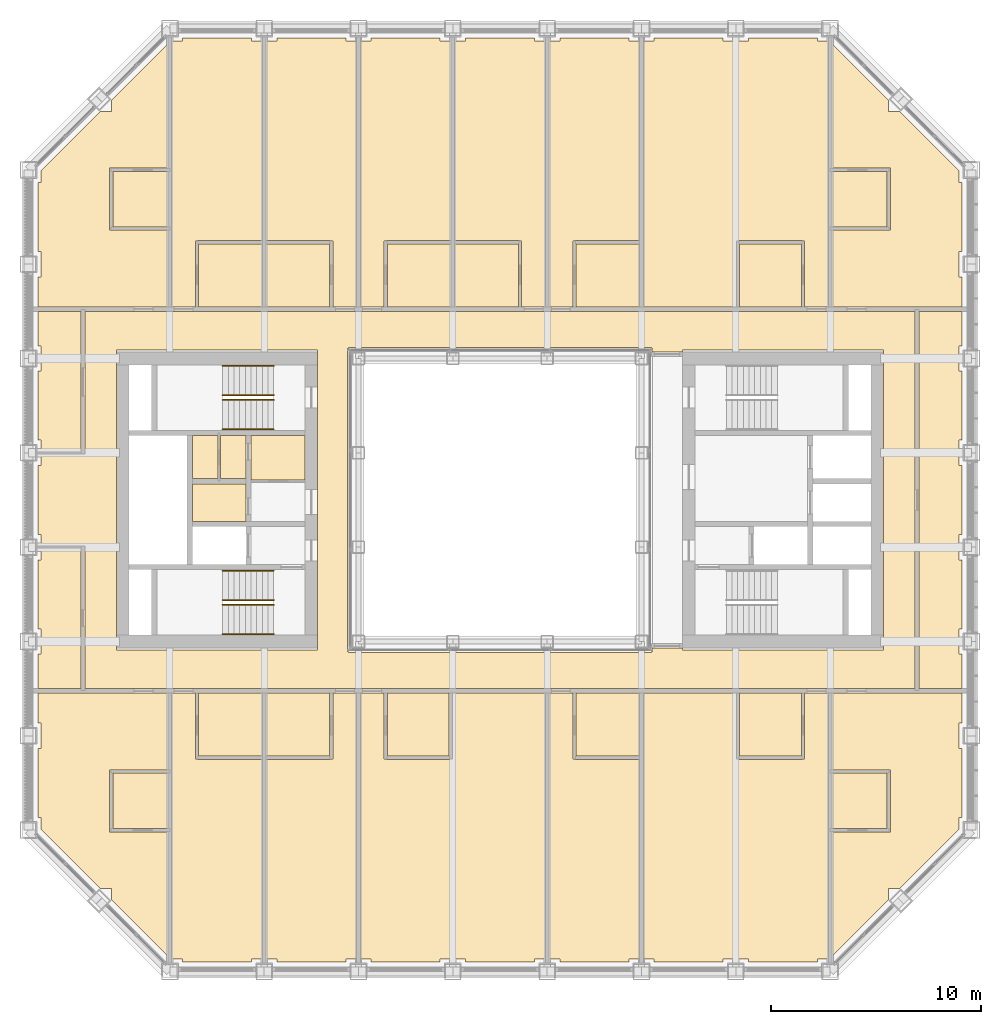
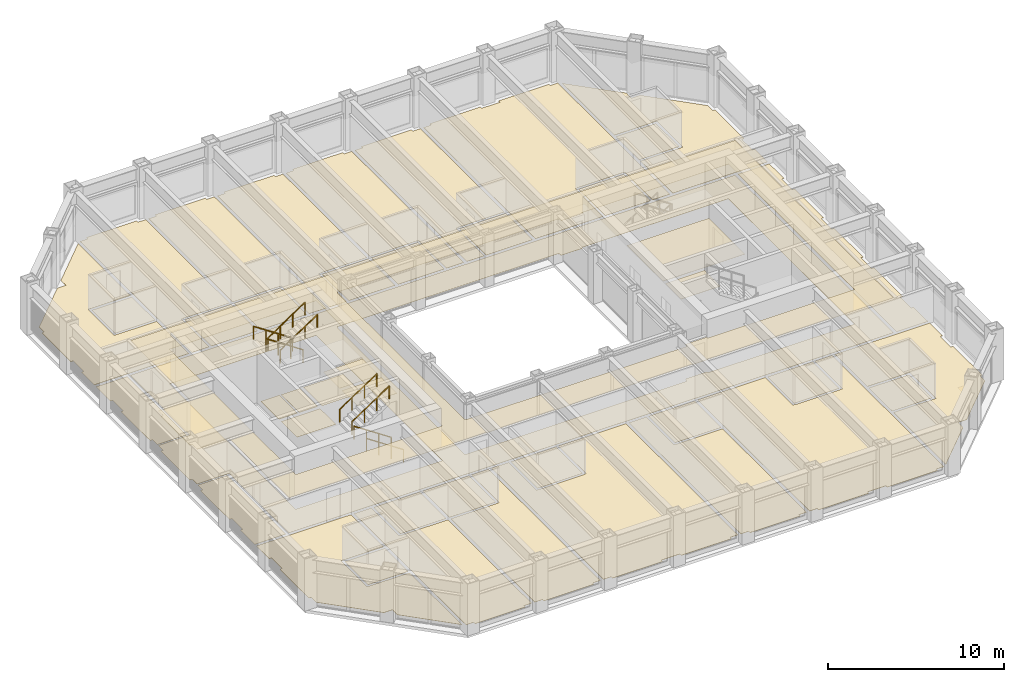
# One storey, part 15 of 17: 8 railings, 5 coverings.
"""IFC4 building model written with IfcOpenShell, lengths in metres."""

from ifc_helpers import new_model, si_unit, direction, frame, origin, origin_2d, place, context, subcontext, project, spatial, line, indexed_curve, circle, outline, extrude, material, layer, layer_set, type_object, element, save


model = new_model("IFC4")

# Units and contexts
model_context = context("Model", 3, precision=1e-05, world=origin(), true_north=direction((0.0, 1.0)))
body_context = subcontext(model_context, "Body", "Model", "MODEL_VIEW")
ifc_project = project(units=[si_unit("LENGTHUNIT", "METRE"), si_unit("AREAUNIT", "SQUARE_METRE"), si_unit("VOLUMEUNIT", "CUBIC_METRE"), si_unit("PLANEANGLEUNIT", "RADIAN"), si_unit("MASSUNIT", "GRAM", prefix="KILO")], contexts=[model_context])

# Site, building, storey
site_placement = place(None, origin())
site = spatial("IfcSite", under=ifc_project, at=site_placement, CompositionType="ELEMENT")
building_placement = place(site_placement, origin())
building = spatial("IfcBuilding", under=site, at=building_placement, Name="Msasa Ring Tower", CompositionType="ELEMENT")
storey_placement = place(building_placement, frame((0.0, 0.0, 143.60009765625)))
storey = spatial("IfcBuildingStorey", under=building, at=storey_placement, Name="L37", CompositionType="ELEMENT", Elevation=143.60009765625)

# Coverings
ifc_material_1 = material(Name="Gypsum plasterboard on a steel suspension grid", Category="steel")
ifc_layer_1 = layer(ifc_material_1, 0.014892578125)
ifc_layer_set_1 = layer_set([ifc_layer_1], Name="C1 SUSPENDED PLASTERBOARD CEILING 15")
covering_type_1 = type_object("IfcCoveringType", Name="C1 SUSPENDED PLASTERBOARD CEILING 15", PredefinedType="CEILING", material=ifc_layer_set_1)
covering_1_placement = place(storey_placement, frame((0.0, 0.0, 2.39990234375)))
element("IfcCovering", 1, at=covering_1_placement, inside=storey, type_object=covering_type_1, Name="Suspended Plasterboard Ceiling 15 circulation L37", PredefinedType="CEILING", context=body_context, shape_type="SweptSolid", body=[
    extrude(outline(indexed_curve([(19.799560546875, 8.99951171875), (19.799560546875, -8.99951171875), (-19.799560546875, -8.99951171875), (-19.799560546875, -2.199462890625), (-21.8994140625, -2.199462890625), (-21.8994140625, -1.6494140625), (-22.049560546875, -1.6494140625), (-22.049560546875, 1.6494140625), (-21.8994140625, 1.6494140625), (-21.8994140625, 2.199462890625), (-19.799560546875, 2.199462890625), (-19.799560546875, 8.99951171875)], segments=[line(1, 2, 3, 4, 5, 6, 7, 8, 9, 10, 11, 12, 1)], self_intersect=False), holes=[indexed_curve([(8.699462890625, -7.150390625), (18.300537109375, -7.150390625), (18.300537109375, 7.150390625), (8.699462890625, 7.150390625), (8.699462890625, 7.050537109375), (7.280029296875, 7.050537109375), (7.280517578125, 7.23046875), (7.22998046875, 7.23046875), (7.22998046875, 7.280029296875), (-7.22998046875, 7.280029296875), (-7.22998046875, 7.23046875), (-7.280517578125, 7.23046875), (-7.280517578125, -7.23046875), (-7.22998046875, -7.23046875), (-7.22998046875, -7.280029296875), (7.22998046875, -7.280029296875), (7.22998046875, -7.23046875), (7.280517578125, -7.23046875), (7.280029296875, -7.050537109375), (8.699462890625, -7.050537109375)], segments=[line(1, 2, 3, 4, 5, 6, 7, 8, 9, 10, 11, 12, 13, 14, 15, 16, 17, 18, 19, 20, 1)], self_intersect=False), indexed_curve([(-8.699462890625, 7.150390625), (-18.300537109375, 7.150390625), (-18.300537109375, -7.150390625), (-8.699462890625, -7.150390625)], segments=[line(1, 2, 3, 4, 1)], self_intersect=False)]), origin(), (0.0, 0.0, 1.0), 0.014892578125),
    extrude(outline(indexed_curve([(-9.300537109375, -3.074462890625), (-11.87451171875, -3.074462890625), (-11.87451171875, -1.275390625), (-9.300537109375, -1.275390625)], segments=[line(1, 2, 3, 4, 1)], self_intersect=False)), origin(), (0.0, 0.0, 1.0), 0.014892578125),
    extrude(outline(indexed_curve([(-9.300537109375, -1.0244140625), (-11.87451171875, -1.0244140625), (-11.87451171875, 0.844482421875), (-9.300537109375, 0.844482421875)], segments=[line(1, 2, 3, 4, 1)], self_intersect=False)), origin(), (0.0, 0.0, 1.0), 0.014892578125),
    extrude(outline(indexed_curve([(11.87451171875, -3.074462890625), (9.300537109375, -3.074462890625), (9.300537109375, -1.275390625), (11.87451171875, -1.275390625)], segments=[line(1, 2, 3, 4, 1)], self_intersect=False)), origin(), (0.0, 0.0, 1.0), 0.014892578125),
    extrude(outline(indexed_curve([(9.300537109375, -1.0244140625), (9.300537109375, 3.074462890625), (14.674560546875, 3.074462890625), (14.674560546875, -1.0244140625)], segments=[line(1, 2, 3, 4, 1)], self_intersect=False)), origin(), (0.0, 0.0, 1.0), 0.014892578125),
])
ifc_material_2 = material(Name="Wool-blend carpet on felt underlay", Category="textile")
ifc_layer_2 = layer(ifc_material_2, 0.011962890625)
ifc_layer_set_2 = layer_set([ifc_layer_2], Name="F2 CARPET ON UNDERLAY 12")
covering_type_2 = type_object("IfcCoveringType", Name="F2 CARPET ON UNDERLAY 12", PredefinedType="FLOORING", material=ifc_layer_set_2)
covering_2_placement = place(storey_placement, origin())
element("IfcCovering", 2, at=covering_2_placement, inside=storey, type_object=covering_type_2, Name="Carpet On Underlay 12 L37", PredefinedType="FLOORING", context=body_context, shape_type="SweptSolid", body=[
    extrude(outline(indexed_curve([(-19.799560546875, -8.99951171875), (-19.799560546875, -2.199462890625), (-21.8994140625, -2.199462890625), (-21.8994140625, -1.6494140625), (-22.049560546875, -1.6494140625), (-22.049560546875, 1.6494140625), (-21.8994140625, 1.6494140625), (-21.8994140625, 2.199462890625), (-19.799560546875, 2.199462890625), (-19.799560546875, 8.99951171875), (19.799560546875, 8.99951171875), (19.799560546875, -8.99951171875)], segments=[line(1, 2, 3, 4, 5, 6, 7, 8, 9, 10, 11, 12, 1)], self_intersect=False), holes=[indexed_curve([(8.699462890625, -7.150390625), (18.300537109375, -7.150390625), (18.300537109375, 7.150390625), (8.699462890625, 7.150390625), (8.699462890625, 7.050537109375), (7.280029296875, 7.050537109375), (7.280517578125, 7.23046875), (7.22998046875, 7.23046875), (7.22998046875, 7.280029296875), (-7.22998046875, 7.280029296875), (-7.22998046875, 7.23046875), (-7.280517578125, 7.23046875), (-7.280517578125, -7.23046875), (-7.22998046875, -7.23046875), (-7.22998046875, -7.280029296875), (7.22998046875, -7.280029296875), (7.22998046875, -7.23046875), (7.280517578125, -7.23046875), (7.280029296875, -7.050537109375), (8.699462890625, -7.050537109375)], segments=[line(1, 2, 3, 4, 5, 6, 7, 8, 9, 10, 11, 12, 13, 14, 15, 16, 17, 18, 19, 20, 1)], self_intersect=False), indexed_curve([(-18.300537109375, 7.150390625), (-18.300537109375, -7.150390625), (-8.699462890625, -7.150390625), (-8.699462890625, 7.150390625)], segments=[line(1, 2, 3, 4, 1)], self_intersect=False)]), origin(), (0.0, 0.0, 1.0), 0.011962890625),
    extrude(outline(indexed_curve([(-15.1494140625, -22.049560546875), (-15.1494140625, -21.8994140625), (-15.6494140625, -21.8994140625), (-15.6494140625, -9.200439453125), (-14.525390625, -9.200439453125), (-14.525390625, -12.35009765625), (-14.39990234375, -12.3505859375), (-14.39990234375, -12.37548828125), (-11.3505859375, -12.37548828125), (-11.3505859375, -21.8994140625), (-11.8505859375, -21.8994140625), (-11.8505859375, -22.049560546875)], segments=[line(1, 2, 3, 4, 5, 6, 7, 8, 9, 10, 11, 12, 1)], self_intersect=False)), origin(), (0.0, 0.0, 1.0), 0.011962890625),
    extrude(outline(indexed_curve([(-14.39990234375, 12.3505859375), (-14.525390625, 12.35009765625), (-14.525390625, 9.200439453125), (-15.6494140625, 9.200439453125), (-15.6494140625, 21.8994140625), (-15.1494140625, 21.8994140625), (-15.1494140625, 22.049560546875), (-11.8505859375, 22.049560546875), (-11.8505859375, 21.8994140625), (-11.3505859375, 21.8994140625), (-11.3505859375, 12.37548828125), (-14.39990234375, 12.37548828125)], segments=[line(1, 2, 3, 4, 5, 6, 7, 8, 9, 10, 11, 12, 1)], self_intersect=False)), origin(), (0.0, 0.0, 1.0), 0.011962890625),
    extrude(outline(indexed_curve([(-13.45556640625, 3.074462890625), (-13.45556640625, 1.025390625), (-14.674560546875, 1.025390625), (-14.674560546875, 3.074462890625)], segments=[line(1, 2, 3, 4, 1)], self_intersect=False)), origin(), (0.0, 0.0, 1.0), 0.011962890625),
    extrude(outline(indexed_curve([(-6.8505859375, -9.200439453125), (-6.8505859375, -21.8994140625), (-7.3505859375, -21.8994140625), (-7.3505859375, -22.049560546875), (-10.6494140625, -22.049560546875), (-10.6494140625, -21.8994140625), (-11.1494140625, -21.8994140625), (-11.1494140625, -12.37548828125), (-8.10009765625, -12.37548828125), (-8.10009765625, -12.3505859375), (-7.974609375, -12.35009765625), (-7.974609375, -9.200439453125)], segments=[line(1, 2, 3, 4, 5, 6, 7, 8, 9, 10, 11, 12, 1)], self_intersect=False)), origin(), (0.0, 0.0, 1.0), 0.011962890625),
    extrude(outline(indexed_curve([(-7.3505859375, 22.049560546875), (-7.3505859375, 21.8994140625), (-6.8505859375, 21.8994140625), (-6.8505859375, 9.200439453125), (-7.974609375, 9.200439453125), (-7.974609375, 12.35009765625), (-8.10009765625, 12.3505859375), (-8.10009765625, 12.37548828125), (-11.1494140625, 12.37548828125), (-11.1494140625, 21.8994140625), (-10.6494140625, 21.8994140625), (-10.6494140625, 22.049560546875)], segments=[line(1, 2, 3, 4, 5, 6, 7, 8, 9, 10, 11, 12, 1)], self_intersect=False)), origin(), (0.0, 0.0, 1.0), 0.011962890625),
    extrude(outline(indexed_curve([(-6.6494140625, 9.200439453125), (-6.6494140625, 21.8994140625), (-6.1494140625, 21.8994140625), (-6.1494140625, 22.049560546875), (-2.8505859375, 22.049560546875), (-2.8505859375, 21.8994140625), (-2.3505859375, 21.8994140625), (-2.3505859375, 12.37548828125), (-5.39990234375, 12.37548828125), (-5.39990234375, 12.3505859375), (-5.525390625, 12.35009765625), (-5.525390625, 9.200439453125)], segments=[line(1, 2, 3, 4, 5, 6, 7, 8, 9, 10, 11, 12, 1)], self_intersect=False)), origin(), (0.0, 0.0, 1.0), 0.011962890625),
    extrude(outline(indexed_curve([(2.1494140625, 9.200439453125), (1.025390625, 9.200439453125), (1.025390625, 12.35009765625), (0.89990234375, 12.3505859375), (0.89990234375, 12.37548828125), (-2.1494140625, 12.37548828125), (-2.1494140625, 21.8994140625), (-1.6494140625, 21.8994140625), (-1.6494140625, 22.049560546875), (1.6494140625, 22.049560546875), (1.6494140625, 21.8994140625), (2.1494140625, 21.8994140625)], segments=[line(1, 2, 3, 4, 5, 6, 7, 8, 9, 10, 11, 12, 1)], self_intersect=False)), origin(), (0.0, 0.0, 1.0), 0.011962890625),
    extrude(outline(indexed_curve([(2.8505859375, -22.049560546875), (2.8505859375, -21.8994140625), (2.3505859375, -21.8994140625), (2.3505859375, -9.200439453125), (3.474609375, -9.200439453125), (3.474609375, -12.35009765625), (3.60009765625, -12.3505859375), (3.60009765625, -12.37548828125), (6.6494140625, -12.37548828125), (6.6494140625, -21.8994140625), (6.1494140625, -21.8994140625), (6.1494140625, -22.049560546875)], segments=[line(1, 2, 3, 4, 5, 6, 7, 8, 9, 10, 11, 12, 1)], self_intersect=False)), origin(), (0.0, 0.0, 1.0), 0.011962890625),
    extrude(outline(indexed_curve([(2.3505859375, 21.8994140625), (2.8505859375, 21.8994140625), (2.8505859375, 22.049560546875), (6.1494140625, 22.049560546875), (6.1494140625, 21.8994140625), (6.6494140625, 21.8994140625), (6.6494140625, 12.37548828125), (3.60009765625, 12.37548828125), (3.60009765625, 12.3505859375), (3.474609375, 12.35009765625), (3.474609375, 9.200439453125), (2.3505859375, 9.200439453125)], segments=[line(1, 2, 3, 4, 5, 6, 7, 8, 9, 10, 11, 12, 1)], self_intersect=False)), origin(), (0.0, 0.0, 1.0), 0.011962890625),
])
ifc_material_3 = material(Name="Engineered oak boards on an acoustic underlay", Category="wood")
ifc_layer_3 = layer(ifc_material_3, 0.01806640625)
ifc_layer_set_3 = layer_set([ifc_layer_3], Name="F3 ENGINEERED TIMBER ON ACOUSTIC UNDERLAY 18")
covering_type_3 = type_object("IfcCoveringType", Name="F3 ENGINEERED TIMBER ON ACOUSTIC UNDERLAY 18", PredefinedType="FLOORING", material=ifc_layer_set_3)
covering_3_placement = place(storey_placement, origin())
element("IfcCovering", 3, at=covering_3_placement, inside=storey, type_object=covering_type_3, Name="Engineered Timber On Acoustic Underlay 18 L37", PredefinedType="FLOORING", context=body_context, shape_type="SweptSolid", body=[
    extrude(outline(indexed_curve([(-15.8505859375, -21.762451171875), (-18.5244140625, -19.08837890625), (-18.5244140625, -18.5244140625), (-19.08837890625, -18.5244140625), (-21.8994140625, -15.71337890625), (-21.8994140625, -15.1494140625), (-22.049560546875, -15.1494140625), (-22.049560546875, -11.8505859375), (-21.8994140625, -11.8505859375), (-21.8994140625, -10.6494140625), (-22.049560546875, -10.6494140625), (-22.049560546875, -9.200439453125), (-15.8505859375, -9.200439453125), (-15.8505859375, -12.869384765625), (-18.630615234375, -12.869384765625), (-18.630615234375, -15.83056640625), (-15.8505859375, -15.83056640625)], segments=[line(1, 2, 3, 4, 5, 6, 7, 8, 9, 10, 11, 12, 13, 14, 15, 16, 17, 1)], self_intersect=False)), origin(), (0.0, 0.0, 1.0), 0.017822265625),
    extrude(outline(indexed_curve([(-18.630615234375, 12.869384765625), (-15.8505859375, 12.869384765625), (-15.8505859375, 9.200439453125), (-22.049560546875, 9.200439453125), (-22.049560546875, 10.6494140625), (-21.8994140625, 10.6494140625), (-21.8994140625, 11.8505859375), (-22.049560546875, 11.8505859375), (-22.049560546875, 15.1494140625), (-21.8994140625, 15.1494140625), (-21.8994140625, 15.71337890625), (-19.08837890625, 18.5244140625), (-18.5244140625, 18.5244140625), (-18.5244140625, 19.08837890625), (-15.8505859375, 21.762451171875), (-15.8505859375, 15.83056640625), (-18.630615234375, 15.83056640625)], segments=[line(1, 2, 3, 4, 5, 6, 7, 8, 9, 10, 11, 12, 13, 14, 15, 16, 17, 1)], self_intersect=False)), origin(), (0.0, 0.0, 1.0), 0.017822265625),
    extrude(outline(indexed_curve([(-5.525390625, -12.35009765625), (-5.39990234375, -12.3505859375), (-5.39990234375, -12.37548828125), (-2.39990234375, -12.37548828125), (-2.39990234375, -12.3505859375), (-2.2744140625, -12.35009765625), (-2.2744140625, -9.200439453125), (2.1494140625, -9.200439453125), (2.1494140625, -21.8994140625), (1.6494140625, -21.8994140625), (1.6494140625, -22.049560546875), (-1.6494140625, -22.049560546875), (-1.6494140625, -21.8994140625), (-2.8505859375, -21.8994140625), (-2.8505859375, -22.049560546875), (-6.1494140625, -22.049560546875), (-6.1494140625, -21.8994140625), (-6.6494140625, -21.8994140625), (-6.6494140625, -9.200439453125), (-5.525390625, -9.200439453125)], segments=[line(1, 2, 3, 4, 5, 6, 7, 8, 9, 10, 11, 12, 13, 14, 15, 16, 17, 18, 19, 20, 1)], self_intersect=False)), origin(), (0.0, 0.0, 1.0), 0.017822265625),
    extrude(outline(indexed_curve([(11.2744140625, -12.35009765625), (11.39990234375, -12.3505859375), (11.39990234375, -12.37548828125), (14.39990234375, -12.37548828125), (14.39990234375, -12.3505859375), (14.525390625, -12.35009765625), (14.525390625, -9.200439453125), (15.6494140625, -9.200439453125), (15.6494140625, -21.8994140625), (15.1494140625, -21.8994140625), (15.1494140625, -22.049560546875), (11.8505859375, -22.049560546875), (11.8505859375, -21.8994140625), (10.6494140625, -21.8994140625), (10.6494140625, -22.049560546875), (7.3505859375, -22.049560546875), (7.3505859375, -21.8994140625), (6.8505859375, -21.8994140625), (6.8505859375, -9.200439453125), (11.2744140625, -9.200439453125)], segments=[line(1, 2, 3, 4, 5, 6, 7, 8, 9, 10, 11, 12, 13, 14, 15, 16, 17, 18, 19, 20, 1)], self_intersect=False)), origin(), (0.0, 0.0, 1.0), 0.017822265625),
    extrude(outline(indexed_curve([(14.525390625, 12.35009765625), (14.39990234375, 12.3505859375), (14.39990234375, 12.37548828125), (11.39990234375, 12.37548828125), (11.39990234375, 12.3505859375), (11.2744140625, 12.35009765625), (11.2744140625, 9.200439453125), (6.8505859375, 9.200439453125), (6.8505859375, 21.8994140625), (7.3505859375, 21.8994140625), (7.3505859375, 22.049560546875), (10.6494140625, 22.049560546875), (10.6494140625, 21.8994140625), (11.8505859375, 21.8994140625), (11.8505859375, 22.049560546875), (15.1494140625, 22.049560546875), (15.1494140625, 21.8994140625), (15.6494140625, 21.8994140625), (15.6494140625, 9.200439453125), (14.525390625, 9.200439453125)], segments=[line(1, 2, 3, 4, 5, 6, 7, 8, 9, 10, 11, 12, 13, 14, 15, 16, 17, 18, 19, 20, 1)], self_intersect=False)), origin(), (0.0, 0.0, 1.0), 0.017822265625),
    extrude(outline(indexed_curve([(18.630615234375, -12.869384765625), (15.8505859375, -12.869384765625), (15.8505859375, -9.200439453125), (22.049560546875, -9.200439453125), (22.049560546875, -10.6494140625), (21.8994140625, -10.6494140625), (21.8994140625, -11.8505859375), (22.049560546875, -11.8505859375), (22.049560546875, -15.1494140625), (21.8994140625, -15.1494140625), (21.8994140625, -15.71337890625), (19.08837890625, -18.5244140625), (18.5244140625, -18.5244140625), (18.5244140625, -19.08837890625), (15.8505859375, -21.762451171875), (15.8505859375, -15.83056640625), (18.630615234375, -15.83056640625)], segments=[line(1, 2, 3, 4, 5, 6, 7, 8, 9, 10, 11, 12, 13, 14, 15, 16, 17, 1)], self_intersect=False)), origin(), (0.0, 0.0, 1.0), 0.017822265625),
    extrude(outline(indexed_curve([(15.8505859375, 21.762451171875), (18.5244140625, 19.08837890625), (18.5244140625, 18.5244140625), (19.08837890625, 18.5244140625), (21.8994140625, 15.71337890625), (21.8994140625, 15.1494140625), (22.049560546875, 15.1494140625), (22.049560546875, 11.8505859375), (21.8994140625, 11.8505859375), (21.8994140625, 10.6494140625), (22.049560546875, 10.6494140625), (22.049560546875, 9.200439453125), (15.8505859375, 9.200439453125), (15.8505859375, 12.869384765625), (18.630615234375, 12.869384765625), (18.630615234375, 15.83056640625), (15.8505859375, 15.83056640625)], segments=[line(1, 2, 3, 4, 5, 6, 7, 8, 9, 10, 11, 12, 13, 14, 15, 16, 17, 1)], self_intersect=False)), origin(), (0.0, 0.0, 1.0), 0.017822265625),
])
ifc_material_4 = material(Name="Porcelain floor tiles in adhesive", Category="ceramic")
ifc_layer_4 = layer(ifc_material_4, 0.010009765625)
ifc_layer_set_4 = layer_set([ifc_layer_4], Name="F4 PORCELAIN TILE ON ADHESIVE 10")
covering_type_4 = type_object("IfcCoveringType", Name="F4 PORCELAIN TILE ON ADHESIVE 10", PredefinedType="FLOORING", material=ifc_layer_set_4)
covering_4_placement = place(storey_placement, origin())
element("IfcCovering", 4, at=covering_4_placement, inside=storey, type_object=covering_type_4, Name="Porcelain Tile On Adhesive 10 L37", PredefinedType="FLOORING", context=body_context, shape_type="SweptSolid", body=[
    extrude(outline(indexed_curve([(-15.8505859375, -13.030517578125), (-15.8505859375, -15.66943359375), (-18.469482421875, -15.66943359375), (-18.469482421875, -13.030517578125)], segments=[line(1, 2, 3, 4, 1)], self_intersect=False)), origin(), (0.0, 0.0, 1.0), 0.010009765625),
    extrude(outline(indexed_curve([(-15.8505859375, 15.66943359375), (-15.8505859375, 13.030517578125), (-18.469482421875, 13.030517578125), (-18.469482421875, 15.66943359375)], segments=[line(1, 2, 3, 4, 1)], self_intersect=False)), origin(), (0.0, 0.0, 1.0), 0.010009765625),
    extrude(outline(indexed_curve([(-12.12548828125, -1.0244140625), (-14.674560546875, -1.0244140625), (-14.674560546875, 0.7744140625), (-12.12548828125, 0.7744140625)], segments=[line(1, 2, 3, 4, 1)], self_intersect=False)), origin(), (0.0, 0.0, 1.0), 0.010009765625),
    extrude(outline(indexed_curve([(-11.3505859375, -9.200439453125), (-11.3505859375, -12.224609375), (-14.37451171875, -12.224609375), (-14.37451171875, -9.200439453125)], segments=[line(1, 2, 3, 4, 1)], self_intersect=False)), origin(), (0.0, 0.0, 1.0), 0.010009765625),
    extrude(outline(indexed_curve([(-11.3505859375, 9.200439453125), (-14.37451171875, 9.200439453125), (-14.37451171875, 12.224609375), (-11.3505859375, 12.224609375)], segments=[line(1, 2, 3, 4, 1)], self_intersect=False)), origin(), (0.0, 0.0, 1.0), 0.010009765625),
    extrude(outline(indexed_curve([(-8.12548828125, -9.200439453125), (-8.12548828125, -12.224609375), (-11.1494140625, -12.224609375), (-11.1494140625, -9.200439453125)], segments=[line(1, 2, 3, 4, 1)], self_intersect=False)), origin(), (0.0, 0.0, 1.0), 0.010009765625),
    extrude(outline(indexed_curve([(-11.1494140625, 9.200439453125), (-11.1494140625, 12.224609375), (-8.12548828125, 12.224609375), (-8.12548828125, 9.200439453125)], segments=[line(1, 2, 3, 4, 1)], self_intersect=False)), origin(), (0.0, 0.0, 1.0), 0.010009765625),
    extrude(outline(indexed_curve([(-2.425537109375, -9.200439453125), (-2.425537109375, -12.224609375), (-5.37451171875, -12.224609375), (-5.37451171875, -9.200439453125)], segments=[line(1, 2, 3, 4, 1)], self_intersect=False)), origin(), (0.0, 0.0, 1.0), 0.010009765625),
    extrude(outline(indexed_curve([(-2.3505859375, 9.200439453125), (-5.37451171875, 9.200439453125), (-5.37451171875, 12.224609375), (-2.3505859375, 12.224609375)], segments=[line(1, 2, 3, 4, 1)], self_intersect=False)), origin(), (0.0, 0.0, 1.0), 0.010009765625),
    extrude(outline(indexed_curve([(-2.1494140625, 9.200439453125), (-2.1494140625, 12.224609375), (0.87451171875, 12.224609375), (0.87451171875, 9.200439453125)], segments=[line(1, 2, 3, 4, 1)], self_intersect=False)), origin(), (0.0, 0.0, 1.0), 0.010009765625),
    extrude(outline(indexed_curve([(6.6494140625, -9.200439453125), (6.6494140625, -12.224609375), (3.62548828125, -12.224609375), (3.62548828125, -9.200439453125)], segments=[line(1, 2, 3, 4, 1)], self_intersect=False)), origin(), (0.0, 0.0, 1.0), 0.010009765625),
    extrude(outline(indexed_curve([(6.6494140625, 9.200439453125), (3.62548828125, 9.200439453125), (3.62548828125, 12.224609375), (6.6494140625, 12.224609375)], segments=[line(1, 2, 3, 4, 1)], self_intersect=False)), origin(), (0.0, 0.0, 1.0), 0.010009765625),
    extrude(outline(indexed_curve([(14.37451171875, -9.200439453125), (14.37451171875, -12.224609375), (11.425537109375, -12.224609375), (11.425537109375, -9.200439453125)], segments=[line(1, 2, 3, 4, 1)], self_intersect=False)), origin(), (0.0, 0.0, 1.0), 0.010009765625),
    extrude(outline(indexed_curve([(11.425537109375, 9.200439453125), (11.425537109375, 12.224609375), (14.37451171875, 12.224609375), (14.37451171875, 9.200439453125)], segments=[line(1, 2, 3, 4, 1)], self_intersect=False)), origin(), (0.0, 0.0, 1.0), 0.010009765625),
    extrude(outline(indexed_curve([(18.469482421875, -13.030517578125), (18.469482421875, -15.66943359375), (15.8505859375, -15.66943359375), (15.8505859375, -13.030517578125)], segments=[line(1, 2, 3, 4, 1)], self_intersect=False)), origin(), (0.0, 0.0, 1.0), 0.010009765625),
    extrude(outline(indexed_curve([(18.469482421875, 15.66943359375), (18.469482421875, 13.030517578125), (15.8505859375, 13.030517578125), (15.8505859375, 15.66943359375)], segments=[line(1, 2, 3, 4, 1)], self_intersect=False)), origin(), (0.0, 0.0, 1.0), 0.010009765625),
])
ifc_material_5 = material(Name="Welded vinyl safety sheet flooring", Category="vinyl")
ifc_layer_5 = layer(ifc_material_5, 0.0029296875)
ifc_layer_set_5 = layer_set([ifc_layer_5], Name="F5 RESILIENT SHEET FLOORING 3")
covering_type_5 = type_object("IfcCoveringType", Name="F5 RESILIENT SHEET FLOORING 3", PredefinedType="FLOORING", material=ifc_layer_set_5)
covering_5_placement = place(storey_placement, origin())
element("IfcCovering", 5, at=covering_5_placement, inside=storey, type_object=covering_type_5, Name="Resilient Sheet Flooring 3 L37", PredefinedType="FLOORING", context=body_context, shape_type="SweptSolid", body=[
    extrude(outline(indexed_curve([(-20.00048828125, -2.305419921875), (-20.00048828125, -8.99951171875), (-22.049560546875, -8.99951171875), (-22.049560546875, -7.3505859375), (-21.8994140625, -7.3505859375), (-21.8994140625, -6.1494140625), (-22.049560546875, -6.1494140625), (-22.049560546875, -2.8505859375), (-21.8994140625, -2.8505859375), (-21.8994140625, -2.305419921875)], segments=[line(1, 2, 3, 4, 5, 6, 7, 8, 9, 10, 1)], self_intersect=False)), origin(), (0.0, 0.0, 1.0), 0.0029296875),
    extrude(outline(indexed_curve([(-20.00048828125, 2.305419921875), (-21.8994140625, 2.305419921875), (-21.8994140625, 2.8505859375), (-22.049560546875, 2.8505859375), (-22.049560546875, 6.1494140625), (-21.8994140625, 6.1494140625), (-21.8994140625, 7.3505859375), (-22.049560546875, 7.3505859375), (-22.049560546875, 8.99951171875), (-20.00048828125, 8.99951171875)], segments=[line(1, 2, 3, 4, 5, 6, 7, 8, 9, 10, 1)], self_intersect=False)), origin(), (0.0, 0.0, 1.0), 0.0029296875),
    extrude(outline(indexed_curve([(-13.344482421875, 3.074462890625), (-12.12548828125, 3.074462890625), (-12.12548828125, 1.025390625), (-13.344482421875, 1.025390625)], segments=[line(1, 2, 3, 4, 1)], self_intersect=False)), origin(), (0.0, 0.0, 1.0), 0.0029296875),
    extrude(outline(indexed_curve([(-11.87451171875, 0.95556640625), (-11.87451171875, 3.074462890625), (-9.300537109375, 3.074462890625), (-9.300537109375, 0.95556640625)], segments=[line(1, 2, 3, 4, 1)], self_intersect=False)), origin(), (0.0, 0.0, 1.0), 0.0029296875),
    extrude(outline(indexed_curve([(22.049560546875, 7.3505859375), (21.8994140625, 7.3505859375), (21.8994140625, 6.1494140625), (22.049560546875, 6.1494140625), (22.049560546875, 2.8505859375), (21.8994140625, 2.8505859375), (21.8994140625, 1.6494140625), (22.049560546875, 1.6494140625), (22.049560546875, -1.6494140625), (21.8994140625, -1.6494140625), (21.8994140625, -2.8505859375), (22.049560546875, -2.8505859375), (22.049560546875, -6.1494140625), (21.8994140625, -6.1494140625), (21.8994140625, -7.3505859375), (22.049560546875, -7.3505859375), (22.049560546875, -8.99951171875), (20.00048828125, -8.99951171875), (20.00048828125, 8.99951171875), (22.049560546875, 8.99951171875)], segments=[line(1, 2, 3, 4, 5, 6, 7, 8, 9, 10, 11, 12, 13, 14, 15, 16, 17, 18, 19, 20, 1)], self_intersect=False)), origin(), (0.0, 0.0, 1.0), 0.0029296875),
])

# Railings
ifc_material_6 = material(Name="Stainless steel", Category="steel")
railing_type = type_object("IfcRailingType", Name="HR1 HANDRAIL 900", PredefinedType="HANDRAIL", material=ifc_material_6)
for number, where, name in (
    (6, (-10.800048828125, -6.39990234375, 0.179931640625), "Handrail stair SWA L37 1"),
    (7, (-10.800048828125, -5.0, 0.179931640625), "Handrail stair SWA L37 2"),
):
    element("IfcRailing", number, at=place(storey_placement, frame(where)), inside=storey, type_object=railing_type, Name=name, PredefinedType="HANDRAIL", context=body_context, shape_type="SweptSolid", body=[
        extrude(circle(Radius=0.02392578125, at=origin_2d()), frame((0.0, 0.0, 0.8759765625), z_axis=(-0.832063155534, 0.0, 0.554680903946), x_axis=(0.0, -1.0, 0.0)), (0.0, 0.0, 1.0), 2.92041015625),
        extrude(circle(Radius=0.02099609375, at=origin_2d()), origin(), (0.0, 0.0, 1.0), 0.851806640625),
        extrude(circle(Radius=0.02099609375, at=origin_2d()), frame((-0.81005859375, 0.0, 0.5400390625)), (0.0, 0.0, 1.0), 0.851806640625),
        extrude(circle(Radius=0.02099609375, at=origin_2d()), frame((-1.619873046875, 0.0, 1.079833984375)), (0.0, 0.0, 1.0), 0.851806640625),
        extrude(circle(Radius=0.02099609375, at=origin_2d()), frame((-2.429931640625, 0.0, 1.619873046875)), (0.0, 0.0, 1.0), 0.851806640625),
    ])
for number, where, name in (
    (8, (-13.22998046875, -4.77490234375, 1.97998046875), "Handrail stair SWA L37 3"),
    (9, (-13.22998046875, -3.375, 1.97998046875), "Handrail stair SWA L37 4"),
):
    element("IfcRailing", number, at=place(storey_placement, frame(where)), inside=storey, type_object=railing_type, Name=name, PredefinedType="HANDRAIL", context=body_context, shape_type="SweptSolid", body=[
        extrude(circle(Radius=0.02392578125, at=origin_2d()), frame((0.0, 0.0, 0.8759765625), z_axis=(0.832063155534, 0.0, 0.554680903946), x_axis=(0.0, 1.0, 0.0)), (0.0, 0.0, 1.0), 2.92041015625),
        extrude(circle(Radius=0.02099609375, at=origin_2d()), origin(), (0.0, 0.0, 1.0), 0.851806640625),
        extrude(circle(Radius=0.02099609375, at=origin_2d()), frame((0.81005859375, 0.0, 0.5400390625)), (0.0, 0.0, 1.0), 0.851806640625),
        extrude(circle(Radius=0.02099609375, at=origin_2d()), frame((1.619873046875, 0.0, 1.079833984375)), (0.0, 0.0, 1.0), 0.851806640625),
        extrude(circle(Radius=0.02099609375, at=origin_2d()), frame((2.429931640625, 0.0, 1.619873046875)), (0.0, 0.0, 1.0), 0.851806640625),
    ])
for number, where, name in (
    (10, (-10.800048828125, 5.0, 0.179931640625), "Handrail stair SWB L37 1"),
    (11, (-10.800048828125, 6.39990234375, 0.179931640625), "Handrail stair SWB L37 2"),
):
    element("IfcRailing", number, at=place(storey_placement, frame(where)), inside=storey, type_object=railing_type, Name=name, PredefinedType="HANDRAIL", context=body_context, shape_type="SweptSolid", body=[
        extrude(circle(Radius=0.02392578125, at=origin_2d()), frame((0.0, 0.0, 0.8759765625), z_axis=(-0.832063155534, 0.0, 0.554680903946), x_axis=(0.0, -1.0, 0.0)), (0.0, 0.0, 1.0), 2.92041015625),
        extrude(circle(Radius=0.02099609375, at=origin_2d()), origin(), (0.0, 0.0, 1.0), 0.851806640625),
        extrude(circle(Radius=0.02099609375, at=origin_2d()), frame((-0.81005859375, 0.0, 0.5400390625)), (0.0, 0.0, 1.0), 0.851806640625),
        extrude(circle(Radius=0.02099609375, at=origin_2d()), frame((-1.619873046875, 0.0, 1.079833984375)), (0.0, 0.0, 1.0), 0.851806640625),
        extrude(circle(Radius=0.02099609375, at=origin_2d()), frame((-2.429931640625, 0.0, 1.619873046875)), (0.0, 0.0, 1.0), 0.851806640625),
    ])
for number, where, name in (
    (12, (-13.22998046875, 3.375, 1.97998046875), "Handrail stair SWB L37 3"),
    (13, (-13.22998046875, 4.77490234375, 1.97998046875), "Handrail stair SWB L37 4"),
):
    element("IfcRailing", number, at=place(storey_placement, frame(where)), inside=storey, type_object=railing_type, Name=name, PredefinedType="HANDRAIL", context=body_context, shape_type="SweptSolid", body=[
        extrude(circle(Radius=0.02392578125, at=origin_2d()), frame((0.0, 0.0, 0.8759765625), z_axis=(0.832063155534, 0.0, 0.554680903946), x_axis=(0.0, 1.0, 0.0)), (0.0, 0.0, 1.0), 2.92041015625),
        extrude(circle(Radius=0.02099609375, at=origin_2d()), origin(), (0.0, 0.0, 1.0), 0.851806640625),
        extrude(circle(Radius=0.02099609375, at=origin_2d()), frame((0.81005859375, 0.0, 0.5400390625)), (0.0, 0.0, 1.0), 0.851806640625),
        extrude(circle(Radius=0.02099609375, at=origin_2d()), frame((1.619873046875, 0.0, 1.079833984375)), (0.0, 0.0, 1.0), 0.851806640625),
        extrude(circle(Radius=0.02099609375, at=origin_2d()), frame((2.429931640625, 0.0, 1.619873046875)), (0.0, 0.0, 1.0), 0.851806640625),
    ])

save(model, "model.ifc")
